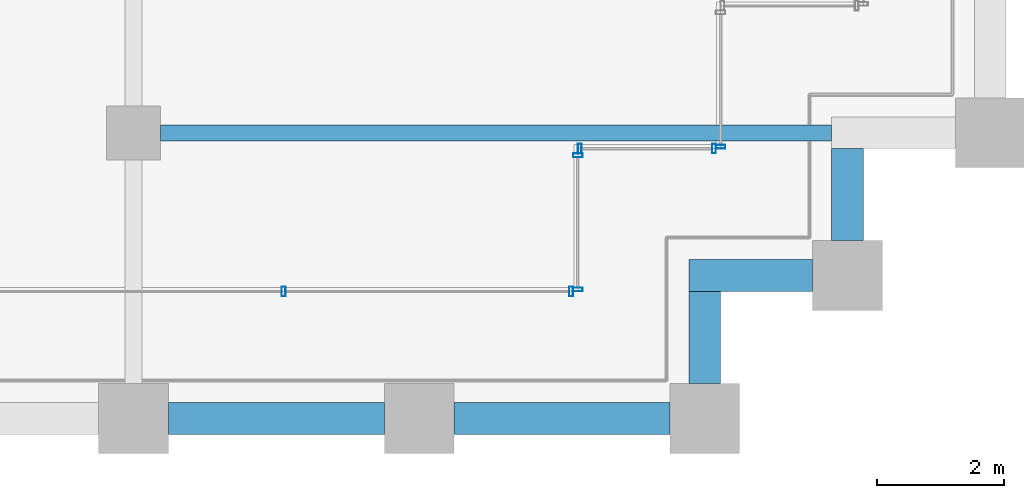
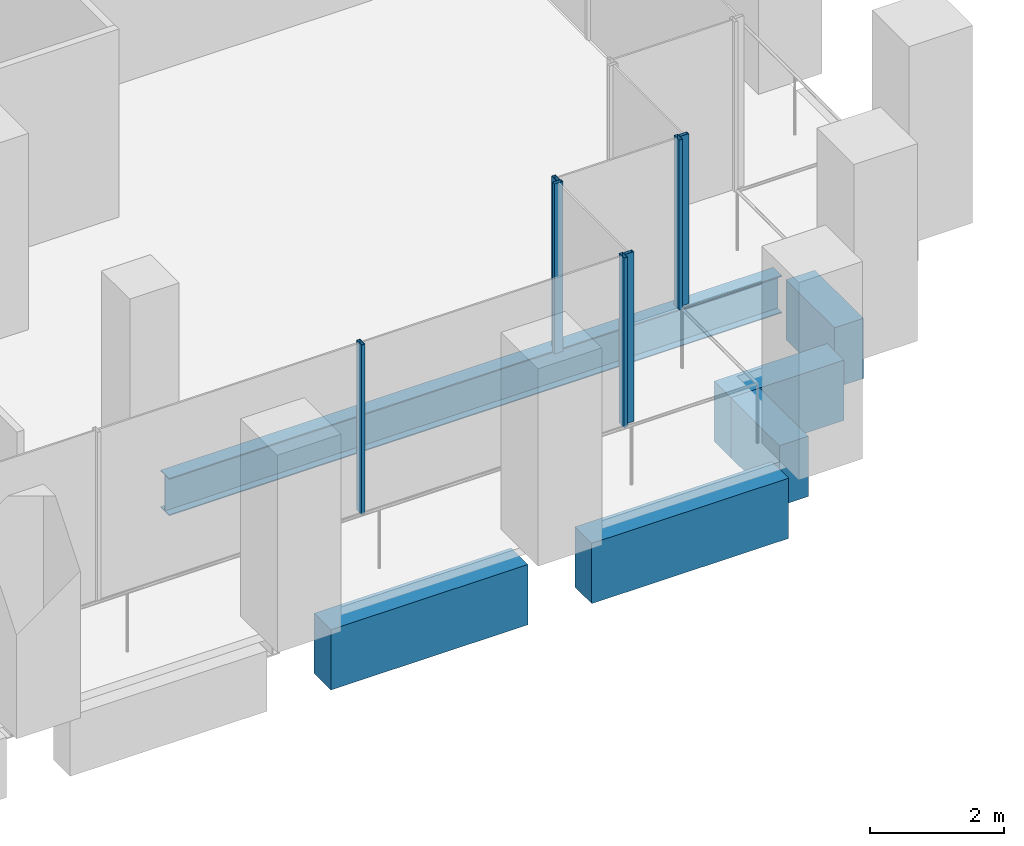
# One storey, part 15 of 54: 7 members, 6 beams, 4 elements without a shape of their own.
"""IFC4 building model written with IfcOpenShell, lengths in metres."""

from ifc_helpers import new_model, si_unit, direction, frame, origin, origin_2d, place, context, subcontext, project, spatial, rectangle, hollow_rectangle, i_section, extrude, material, material_profile, profile_set, type_object, element, aggregate, save


model = new_model("IFC4")

# Units and contexts
model_context = context("Model", 3, precision=1e-05, world=origin(), true_north=direction((0.0, 1.0)))
body_context = subcontext(model_context, "Body", "Model", "MODEL_VIEW")
ifc_project = project(units=[si_unit("LENGTHUNIT", "METRE"), si_unit("AREAUNIT", "SQUARE_METRE"), si_unit("VOLUMEUNIT", "CUBIC_METRE"), si_unit("PLANEANGLEUNIT", "RADIAN"), si_unit("MASSUNIT", "GRAM", prefix="KILO")], contexts=[model_context])

# Site, building, storey
site_placement = place(None, origin())
site = spatial("IfcSite", under=ifc_project, at=site_placement, CompositionType="ELEMENT")
building_placement = place(site_placement, origin())
building = spatial("IfcBuilding", under=site, at=building_placement, Name="Altepetl Exchange Towers", CompositionType="ELEMENT")
storey_placement = place(building_placement, frame((0.0, 0.0, 65.39990234375)))
storey = spatial("IfcBuildingStorey", under=building, at=storey_placement, Name="L15", CompositionType="ELEMENT", Elevation=65.39990234375)

# Beam
ifc_material_1 = material(Name="Steel S355", Category="steel")
ifc_material_profile_1 = material_profile(ifc_material_1, i_section(OverallWidth=0.25390625, OverallDepth=0.68408203125, WebThickness=0.012451171875, FlangeThickness=0.018798828125, at=origin_2d()), Name="W27X94")
ifc_profile_set_1 = profile_set([ifc_material_profile_1], Name="Steel S355")
beam_type_1 = type_object("IfcBeamType", Name="Floor beam W27X94", PredefinedType="BEAM", material=ifc_profile_set_1)
beam_1_placement = place(storey_placement, frame((58.925048828125, 31.5, -0.491943359375), z_axis=(1.0, 0.0, 0.0), x_axis=(0.0, 1.0, 0.0)))
element("IfcBeam", 1, at=beam_1_placement, inside=storey, type_object=beam_type_1, Name="bm:A:L15:006", PredefinedType="BEAM", context=body_context, shape_type="SweptSolid", body=[
    extrude(i_section(OverallWidth=0.25390625, OverallDepth=0.68408203125, WebThickness=0.012451171875, FlangeThickness=0.018798828125, at=origin_2d()), origin(), (0.0, 0.0, 1.0), 10.574951171875),
])

# Curtain wall, members
ifc_material_2 = material(Name="Aluminium 6063-T6 glazing", Category="aluminium")
curtain_wall_type = type_object("IfcCurtainWallType", Name="Loggia glazing system", PredefinedType="NOTDEFINED", material=ifc_material_2)
curtain_wall_1_placement = place(storey_placement, origin())
curtain_wall_1 = element("IfcCurtainWall", 2, at=curtain_wall_1_placement, inside=storey, type_object=curtain_wall_type, Name="CW1 run", PredefinedType="NOTDEFINED")
ifc_material_3 = material(Name="Aluminium 6063-T6", Category="aluminium")
ifc_material_profile_2 = material_profile(ifc_material_3, hollow_rectangle(XDim=0.06005859375, YDim=0.14990234375, WallThickness=0.0029296875, at=origin_2d()), Name="Mullion 60x150 aluminium")
ifc_profile_set_2 = profile_set([ifc_material_profile_2], Name="Aluminium 6063-T6")
member_type = type_object("IfcMemberType", Name="Mullion 60x150 aluminium", PredefinedType="MULLION", material=ifc_profile_set_2)
member_1_placement = place(storey_placement, frame((60.8642578125, 29.0, 0.0)))
member_1 = element("IfcMember", 3, at=member_1_placement, type_object=member_type, Name="MU1 mullion", PredefinedType="MULLION", context=body_context, shape_type="SweptSolid", body=[
    extrude(hollow_rectangle(XDim=0.06005859375, YDim=0.14990234375, WallThickness=0.0029296875, at=origin_2d()), origin(), (0.0, 0.0, 1.0), 3.10009765625),
])
member_2_placement = place(storey_placement, frame((65.39501953125, 29.0, 0.0)))
member_2 = element("IfcMember", 4, at=member_2_placement, type_object=member_type, Name="MU1 mullion", PredefinedType="MULLION", context=body_context, shape_type="SweptSolid", body=[
    extrude(hollow_rectangle(XDim=0.06005859375, YDim=0.14990234375, WallThickness=0.0029296875, at=origin_2d()), origin(), (0.0, 0.0, 1.0), 3.10009765625),
])
aggregate(curtain_wall_1, [member_1, member_2])

curtain_wall_2_placement = place(storey_placement, origin())
curtain_wall_2 = element("IfcCurtainWall", 5, at=curtain_wall_2_placement, inside=storey, type_object=curtain_wall_type, Name="CW1 run", PredefinedType="NOTDEFINED")
member_3_placement = place(storey_placement, frame((65.5, 29.030029296875, 0.0), z_axis=(0.0, 0.0, 1.0), x_axis=(0.0, 1.0, 0.0)))
member_3 = element("IfcMember", 6, at=member_3_placement, type_object=member_type, Name="MU1 mullion", PredefinedType="MULLION", context=body_context, shape_type="SweptSolid", body=[
    extrude(hollow_rectangle(XDim=0.06005859375, YDim=0.14990234375, WallThickness=0.0029296875, at=origin_2d()), origin(), (0.0, 0.0, 1.0), 3.10009765625),
])
member_4_placement = place(storey_placement, frame((65.5, 31.14501953125, 0.0), z_axis=(0.0, 0.0, 1.0), x_axis=(0.0, 1.0, 0.0)))
member_4 = element("IfcMember", 7, at=member_4_placement, type_object=member_type, Name="MU1 mullion", PredefinedType="MULLION", context=body_context, shape_type="SweptSolid", body=[
    extrude(hollow_rectangle(XDim=0.06005859375, YDim=0.14990234375, WallThickness=0.0029296875, at=origin_2d()), origin(), (0.0, 0.0, 1.0), 3.10009765625),
])
aggregate(curtain_wall_2, [member_3, member_4])

curtain_wall_3_placement = place(storey_placement, origin())
curtain_wall_3 = element("IfcCurtainWall", 8, at=curtain_wall_3_placement, inside=storey, type_object=curtain_wall_type, Name="CW1 run", PredefinedType="NOTDEFINED")
member_5_placement = place(storey_placement, frame((65.530029296875, 31.25, 0.0)))
member_5 = element("IfcMember", 9, at=member_5_placement, type_object=member_type, Name="MU1 mullion", PredefinedType="MULLION", context=body_context, shape_type="SweptSolid", body=[
    extrude(hollow_rectangle(XDim=0.06005859375, YDim=0.14990234375, WallThickness=0.0029296875, at=origin_2d()), origin(), (0.0, 0.0, 1.0), 3.10009765625),
])
member_6_placement = place(storey_placement, frame((67.64501953125, 31.25, 0.0)))
member_6 = element("IfcMember", 10, at=member_6_placement, type_object=member_type, Name="MU1 mullion", PredefinedType="MULLION", context=body_context, shape_type="SweptSolid", body=[
    extrude(hollow_rectangle(XDim=0.06005859375, YDim=0.14990234375, WallThickness=0.0029296875, at=origin_2d()), origin(), (0.0, 0.0, 1.0), 3.10009765625),
])
aggregate(curtain_wall_3, [member_5, member_6])

# Curtain wall, member
curtain_wall_4_placement = place(storey_placement, origin())
curtain_wall_4 = element("IfcCurtainWall", 11, at=curtain_wall_4_placement, inside=storey, type_object=curtain_wall_type, Name="CW1 run", PredefinedType="NOTDEFINED")
member_7_placement = place(storey_placement, frame((67.75, 31.280029296875, 0.0), z_axis=(0.0, 0.0, 1.0), x_axis=(0.0, 1.0, 0.0)))
member_7 = element("IfcMember", 12, at=member_7_placement, type_object=member_type, Name="MU1 mullion", PredefinedType="MULLION", context=body_context, shape_type="SweptSolid", body=[
    extrude(hollow_rectangle(XDim=0.06005859375, YDim=0.14990234375, WallThickness=0.0029296875, at=origin_2d()), origin(), (0.0, 0.0, 1.0), 3.10009765625),
])
aggregate(curtain_wall_4, [member_7])

# Beams
ifc_material_4 = material(Name="Concrete C50/60 precast with cantera amarilla facing", Category="concrete")
ifc_material_profile_3 = material_profile(ifc_material_4, rectangle(XDim=0.5, YDim=1.10009765625, at=origin_2d()), Name="500 x 1100")
ifc_profile_set_3 = profile_set([ifc_material_profile_3], Name="Concrete C50/60 precast with cantera amarilla facing")
beam_type_2 = type_object("IfcBeamType", Name="Spandrel beam 500x1100 cantera amarilla", PredefinedType="SPANDREL", material=ifc_profile_set_3)
for number, where, z_axis, x_axis, name in (
    (13, (59.050048828125, 27.0, -0.699951171875), (1.0, 0.0, 0.0), (0.0, 1.0, 0.0), "sp:A:L15:006"),
    (14, (63.550048828125, 27.0, -0.699951171875), (1.0, 0.0, 0.0), (0.0, 1.0, 0.0), "sp:A:L15:007"),
):
    element("IfcBeam", number, at=place(storey_placement, frame(where, z_axis=z_axis, x_axis=x_axis)), inside=storey, type_object=beam_type_2, Name=name, PredefinedType="SPANDREL", context=body_context, shape_type="SweptSolid", body=[
        extrude(rectangle(XDim=0.5, YDim=1.10009765625, at=origin_2d()), origin(), (0.0, 0.0, 1.0), 3.39990234375),
    ])
beam_2_placement = place(storey_placement, frame((67.5, 27.550048828125, -0.699951171875), z_axis=(0.0, 1.0, 0.0), x_axis=(-1.0, 0.0, 0.0)))
element("IfcBeam", 15, at=beam_2_placement, inside=storey, type_object=beam_type_2, Name="sp:A:L15:008", PredefinedType="SPANDREL", context=body_context, shape_type="SweptSolid", body=[
    extrude(rectangle(XDim=0.5, YDim=1.10009765625, at=origin_2d()), origin(), (0.0, 0.0, 1.0), 1.449951171875),
])
beam_3_placement = place(storey_placement, frame((67.25, 29.25, -0.699951171875), z_axis=(1.0, 0.0, 0.0), x_axis=(0.0, 1.0, 0.0)))
element("IfcBeam", 16, at=beam_3_placement, inside=storey, type_object=beam_type_2, Name="sp:A:L15:009", PredefinedType="SPANDREL", context=body_context, shape_type="SweptSolid", body=[
    extrude(rectangle(XDim=0.5, YDim=1.10009765625, at=origin_2d()), origin(), (0.0, 0.0, 1.0), 1.949951171875),
])
beam_4_placement = place(storey_placement, frame((69.75, 29.800048828125, -0.699951171875), z_axis=(0.0, 1.0, 0.0), x_axis=(-1.0, 0.0, 0.0)))
element("IfcBeam", 17, at=beam_4_placement, inside=storey, type_object=beam_type_2, Name="sp:A:L15:010", PredefinedType="SPANDREL", context=body_context, shape_type="SweptSolid", body=[
    extrude(rectangle(XDim=0.5, YDim=1.10009765625, at=origin_2d()), origin(), (0.0, 0.0, 1.0), 1.449951171875),
])

save(model, "model.ifc")
